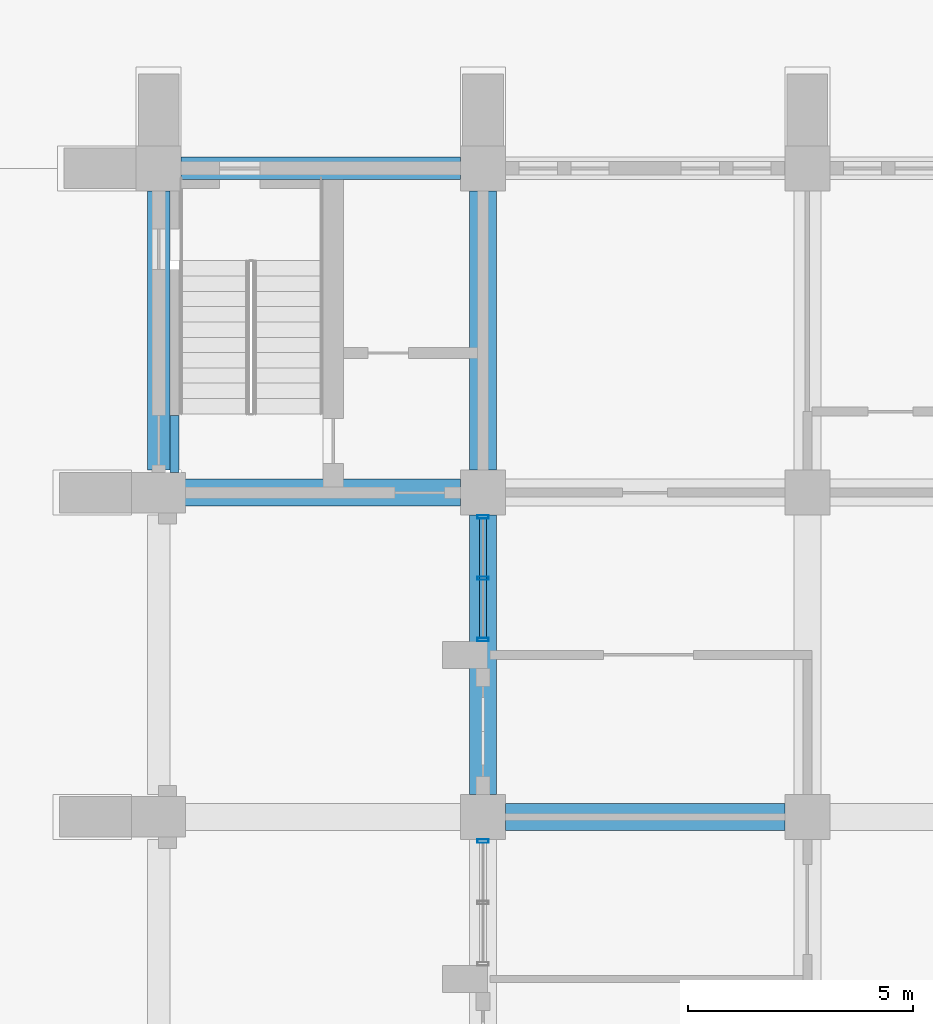
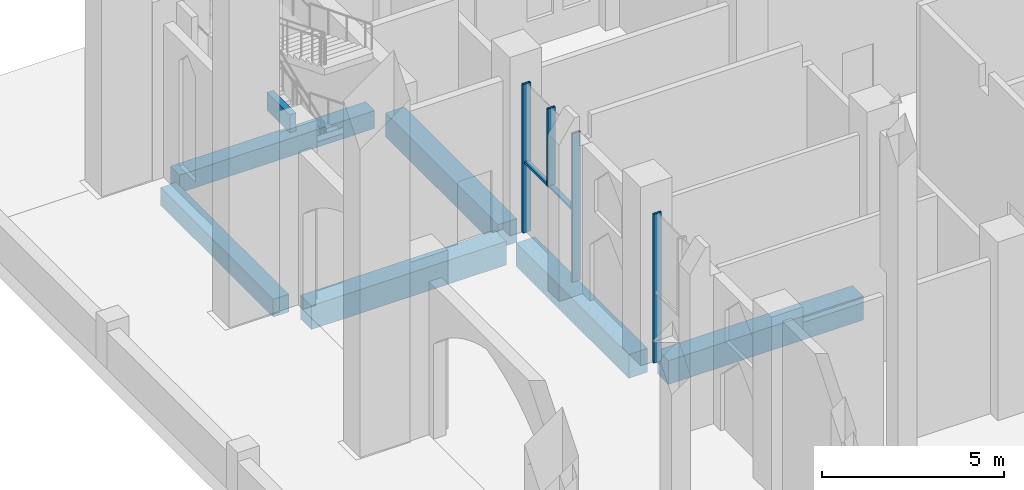
# One storey, part 12 of 50: 7 beams, 5 members, 2 elements without a shape of their own.
"""IFC4 building model written with IfcOpenShell, lengths in metres."""

import ifcopenshell
import ifcopenshell.guid

model = None  # the IFC model being written
_history = None  # IfcOwnerHistory: only IFC2X3 demands one
_inside = {}  # id of a spatial element -> (the spatial element, [elements in it])
_under = {}  # id of a project, library or spatial element -> (it, [spatial elements below it])
_declared = {}  # id of a project -> (the project, [libraries it declares])
_typed = {}  # id of a type object -> (the type object, [elements of that type])
_made_of = {}  # id of a material, layer set ... -> (it, [elements and type objects made of it])


def new_model(schema):
    """Start an empty IFC model of exactly this schema.

    Asked for "IFC4X3", IfcOpenShell would pick the latest addendum, in which some entities
    have other attributes; the version numbers below select the first issue.
    IFC2X3 requires an IfcOwnerHistory on every rooted entity: one is made here for all.
    """
    global model, _history
    if schema == "IFC4X3":
        model = ifcopenshell.file(schema_version=(4, 3, 0, 0))
    else:
        model = ifcopenshell.file(schema=schema)
    _inside.clear()
    _under.clear()
    _declared.clear()
    _typed.clear()
    _made_of.clear()
    _history = None
    if model.schema == "IFC2X3":
        org = make("IfcOrganization", Name="unknown")
        user = make(
            "IfcPersonAndOrganization",
            ThePerson=make("IfcPerson", FamilyName="unknown"),
            TheOrganization=org,
        )
        app = make(
            "IfcApplication",
            ApplicationDeveloper=org,
            Version="unknown",
            ApplicationFullName="unknown",
            ApplicationIdentifier="unknown",
        )
        _history = make(
            "IfcOwnerHistory",
            OwningUser=user,
            OwningApplication=app,
            ChangeAction="ADDED",
            CreationDate=0,
        )
    return model


def make(cls, **values):
    """One entity of the class cls with the attributes given. An attribute that is None is left unset."""
    return model.create_entity(
        cls, **{name: value for name, value in values.items() if value is not None}
    )


def rooted(cls, **values):
    """An entity with a GlobalId (a new one), such as an element, a storey or a relation."""
    return make(cls, GlobalId=ifcopenshell.guid.new(), OwnerHistory=_history, **values)


def si_unit(unit_type, name, prefix=None):
    """IfcSIUnit, for example si_unit("LENGTHUNIT", "METRE", prefix="MILLI")."""
    return make("IfcSIUnit", UnitType=unit_type, Prefix=prefix, Name=name)


def assignment(units):
    """IfcUnitAssignment: the units of a project."""
    return None if units is None else make("IfcUnitAssignment", Units=units)


def point(xyz):
    """IfcCartesianPoint."""
    return None if xyz is None else make("IfcCartesianPoint", Coordinates=xyz)


def direction(xyz):
    """IfcDirection."""
    return None if xyz is None else make("IfcDirection", DirectionRatios=xyz)


def frame(location, z_axis=None, x_axis=None):
    """IfcAxis2Placement3D, a coordinate frame: its origin and axes. An axis left out is left unset."""
    return make(
        "IfcAxis2Placement3D",
        Location=point(location),
        Axis=direction(z_axis),
        RefDirection=direction(x_axis),
    )


def frame_2d(location, x_axis=None):
    """IfcAxis2Placement2D, a coordinate frame in the plane: its origin and x axis."""
    return make(
        "IfcAxis2Placement2D", Location=point(location), RefDirection=direction(x_axis)
    )


def origin():
    """The frame at (0, 0, 0) with its axes left unset."""
    return frame((0.0, 0.0, 0.0))


def origin_2d():
    """The frame at (0, 0) in the plane with its x axis left unset."""
    return frame_2d((0.0, 0.0))


def place(relative_to, where):
    """IfcLocalPlacement: puts the frame where relative to a parent placement (None: the world)."""
    return make(
        "IfcLocalPlacement", PlacementRelTo=relative_to, RelativePlacement=where
    )


def context(
    kind, dimensions, precision=None, world=None, true_north=None, identifier=None
):
    """IfcGeometricRepresentationContext, for example the 3D "Model" context."""
    return make(
        "IfcGeometricRepresentationContext",
        ContextIdentifier=identifier,
        ContextType=kind,
        CoordinateSpaceDimension=dimensions,
        Precision=precision,
        WorldCoordinateSystem=world,
        TrueNorth=true_north,
    )


def subcontext(parent, identifier, kind, view, scale=None):
    """IfcGeometricRepresentationSubContext, for example "Body" below "Model"."""
    return make(
        "IfcGeometricRepresentationSubContext",
        ContextIdentifier=identifier,
        ContextType=kind,
        ParentContext=parent,
        TargetScale=scale,
        TargetView=view,
    )


def project(units=None, contexts=None):
    """IfcProject with its units and contexts."""
    return rooted(
        "IfcProject",
        Name="project",
        RepresentationContexts=contexts,
        UnitsInContext=assignment(units),
    )


def spatial(cls, under=None, at=None, **own):
    """A site, building, storey or space (cls), placed at a placement, below another one or the project."""
    s = rooted(cls, ObjectPlacement=at, **own)
    if under is not None:
        _under.setdefault(under.id(), (under, []))[1].append(s)
    return s


def profile(cls, at=None, kind="AREA", **sizes):
    """A parametric profile (cls). Its sizes go by their IFC names, for example OverallWidth=200.0."""
    return make(cls, ProfileType=kind, Position=at, **sizes)


def rectangle(**sizes):
    """IfcRectangleProfileDef."""
    return profile("IfcRectangleProfileDef", **sizes)


def hollow_rectangle(**sizes):
    """IfcRectangleHollowProfileDef."""
    return profile("IfcRectangleHollowProfileDef", **sizes)


def extrude(swept, where, along, depth):
    """IfcExtrudedAreaSolid: the profile swept, set in the frame where, extruded along a direction by depth."""
    return make(
        "IfcExtrudedAreaSolid",
        SweptArea=swept,
        Position=where,
        ExtrudedDirection=direction(along),
        Depth=depth,
    )


def shape(context_of_items, identifier, shape_type, items):
    """IfcShapeRepresentation: the items that make up one representation, for example the "Body"."""
    return make(
        "IfcShapeRepresentation",
        ContextOfItems=context_of_items,
        RepresentationIdentifier=identifier,
        RepresentationType=shape_type,
        Items=items,
    )


def material(Name=None, Category=None):
    """IfcMaterial."""
    return make("IfcMaterial", Name=Name, Category=Category)


def material_profile(
    of_material, cross_section, Name=None, Category=None, Priority=None
):
    """IfcMaterialProfile: a cross section and its material."""
    return make(
        "IfcMaterialProfile",
        Name=Name,
        Material=of_material,
        Profile=cross_section,
        Priority=Priority,
        Category=Category,
    )


def profile_set(profiles, Name=None, composite=None):
    """IfcMaterialProfileSet."""
    return make(
        "IfcMaterialProfileSet",
        Name=Name,
        MaterialProfiles=profiles,
        CompositeProfile=composite,
    )


def made_of(thing, what):
    """Note that an element or type object is made of a material, layer set ...; save() writes the relation."""
    if what is not None:
        _made_of.setdefault(what.id(), (what, []))[1].append(thing)
    return thing


def type_object(cls, material=None, **own):
    """A type object (cls), such as IfcWallType, which elements share."""
    return made_of(rooted(cls, **own), material)


def element(
    cls,
    number,
    at=None,
    inside=None,
    cuts=None,
    type_object=None,
    material=None,
    context=None,
    identifier="Body",
    shape_type=None,
    held_by="IfcProductDefinitionShape",
    body=None,
    shapes=None,
    **own,
):
    """One element of the class cls, such as IfcWall. Its Tag is "e" and its number.

    at: its placement. inside: the storey or other place that contains it. cuts: it is an
    opening in that element (IfcRelVoidsElement). A single representation is given by context,
    identifier, shape_type and body (its items); several are given by shapes. held_by: the class
    of the entity that holds the representations. save() writes the other relations.
    """
    e = rooted(cls, Tag="e%d" % number, ObjectPlacement=at, **own)
    if body is not None:
        shapes = [shape(context, identifier, shape_type, body)]
    if shapes is not None:
        e.Representation = make(held_by, Representations=shapes)
    if inside is not None:
        _inside.setdefault(inside.id(), (inside, []))[1].append(e)
    if cuts is not None:
        rooted(
            "IfcRelVoidsElement", RelatingBuildingElement=cuts, RelatedOpeningElement=e
        )
    if type_object is not None:
        _typed.setdefault(type_object.id(), (type_object, []))[1].append(e)
    return made_of(e, material)


def aggregate(whole, parts):
    """IfcRelAggregates: a whole, such as a stair, and the parts it consists of."""
    return rooted("IfcRelAggregates", RelatingObject=whole, RelatedObjects=parts)


def save(model, path):
    """Write the relations noted so far, then the file.

    IfcRelAggregates (storeys below a building ...), IfcRelContainedInSpatialStructure (elements
    in a storey), IfcRelDefinesByType, IfcRelAssociatesMaterial and IfcRelDeclares: one each for
    every whole, place, type object, material and project.
    """
    for whole, parts in _under.values():
        aggregate(whole, parts)
    for where, things in _inside.values():
        rooted(
            "IfcRelContainedInSpatialStructure",
            RelatedElements=things,
            RelatingStructure=where,
        )
    for kind, things in _typed.values():
        rooted("IfcRelDefinesByType", RelatedObjects=things, RelatingType=kind)
    for what, things in _made_of.values():
        rooted("IfcRelAssociatesMaterial", RelatedObjects=things, RelatingMaterial=what)
    for by, libraries in _declared.values():
        rooted("IfcRelDeclares", RelatingContext=by, RelatedDefinitions=libraries)
    model.write(path)


model = new_model("IFC4")

# Units and contexts
model_context = context("Model", 3, precision=1e-05, world=origin(), true_north=direction((0.0, 1.0)))
body_context = subcontext(model_context, "Body", "Model", "MODEL_VIEW")
ifc_project = project(units=[si_unit("LENGTHUNIT", "METRE"), si_unit("AREAUNIT", "SQUARE_METRE"), si_unit("VOLUMEUNIT", "CUBIC_METRE"), si_unit("PLANEANGLEUNIT", "RADIAN"), si_unit("MASSUNIT", "GRAM", prefix="KILO")], contexts=[model_context])

# Site, building, storey
site_placement = place(None, origin())
site = spatial("IfcSite", under=ifc_project, at=site_placement, CompositionType="ELEMENT")
building_placement = place(site_placement, origin())
building = spatial("IfcBuilding", under=site, at=building_placement, Name="Silangan Lancet Faculty of Sciences", CompositionType="ELEMENT")
storey_placement = place(building_placement, origin())
storey = spatial("IfcBuildingStorey", under=building, at=storey_placement, Name="L00", CompositionType="ELEMENT", Elevation=0.0)

# Beams
ifc_material_1 = material(Name="Concrete C40/50", Category="concrete")
ifc_material_profile_1 = material_profile(ifc_material_1, rectangle(XDim=0.199951171875, YDim=0.60009765625, at=origin_2d()), Name="RC 200x600")
ifc_profile_set_1 = profile_set([ifc_material_profile_1], Name="Concrete C40/50")
beam_type_1 = type_object("IfcBeamType", Name="BEAM RC 200x600", PredefinedType="BEAM", material=ifc_profile_set_1)
beam_1_placement = place(storey_placement, frame((0.35009765625, 50.85009765625, 5.449951171875), z_axis=(0.0, 1.0, 0.0), x_axis=(-1.0, 0.0, 0.0)))
element("IfcBeam", 1, at=beam_1_placement, inside=storey, type_object=beam_type_1, Name="HDR-L00-NT-A-1", PredefinedType="BEAM", context=body_context, shape_type="SweptSolid", body=[
    extrude(rectangle(XDim=0.199951171875, YDim=0.60009765625, at=origin_2d()), origin(), (0.0, 0.0, 1.0), 1.260009765625),
])
ifc_material_2 = material(Name="Concrete C40/50", Category="concrete")
ifc_material_profile_2 = material_profile(ifc_material_2, rectangle(XDim=0.5, YDim=0.60009765625, at=origin_2d()), Name="RC 500x600")
ifc_profile_set_2 = profile_set([ifc_material_profile_2], Name="Concrete C40/50")
beam_type_2 = type_object("IfcBeamType", Name="BEAM RC 500x600", PredefinedType="BEAM", material=ifc_profile_set_2)
beam_2_placement = place(storey_placement, frame((0.5, 57.60009765625, -0.60009765625), z_axis=(1.0, 0.0, 0.0), x_axis=(0.0, 1.0, 0.0)))
element("IfcBeam", 2, at=beam_2_placement, inside=storey, type_object=beam_type_2, Name="BM-L00-1I-2I", PredefinedType="BEAM", context=body_context, shape_type="SweptSolid", body=[
    extrude(rectangle(XDim=0.5, YDim=0.60009765625, at=origin_2d()), origin(), (0.0, 0.0, 1.0), 6.199951171875),
])
beam_3_placement = place(storey_placement, frame((0.0, 50.89990234375, -0.60009765625), z_axis=(0.0, 1.0, 0.0), x_axis=(-1.0, 0.0, 0.0)))
element("IfcBeam", 3, at=beam_3_placement, inside=storey, type_object=beam_type_2, Name="BM-L00-1H-1I", PredefinedType="BEAM", context=body_context, shape_type="SweptSolid", body=[
    extrude(rectangle(XDim=0.5, YDim=0.60009765625, at=origin_2d()), origin(), (0.0, 0.0, 1.0), 6.2001953125),
])
ifc_material_3 = material(Name="Concrete C40/50", Category="concrete")
ifc_material_profile_3 = material_profile(ifc_material_3, rectangle(XDim=0.60009765625, YDim=0.800048828125, at=origin_2d()), Name="RC 600x800")
ifc_profile_set_3 = profile_set([ifc_material_profile_3], Name="Concrete C40/50")
beam_type_3 = type_object("IfcBeamType", Name="BEAM RC 600x800", PredefinedType="BEAM", material=ifc_profile_set_3)
for number, where, z_axis, x_axis, name in (
    (4, (7.699951171875, 43.199951171875, -0.699951171875), (1.0, 0.0, 0.0), (0.0, 1.0, 0.0), "BM-L00-2G-3G"),
    (5, (0.5, 50.39990234375, -0.699951171875), (1.0, 0.0, 0.0), (0.0, 1.0, 0.0), "BM-L00-1H-2H"),
    (6, (7.199951171875, 43.699951171875, -0.699951171875), (0.0, 1.0, 0.0), (-1.0, 0.0, 0.0), "BM-L00-2G-2H"),
):
    element("IfcBeam", number, at=place(storey_placement, frame(where, z_axis=z_axis, x_axis=x_axis)), inside=storey, type_object=beam_type_3, Name=name, PredefinedType="BEAM", context=body_context, shape_type="SweptSolid", body=[
        extrude(rectangle(XDim=0.60009765625, YDim=0.800048828125, at=origin_2d()), origin(), (0.0, 0.0, 1.0), 6.199951171875),
    ])
beam_4_placement = place(storey_placement, frame((7.199951171875, 50.89990234375, -0.699951171875), z_axis=(0.0, 1.0, 0.0), x_axis=(-1.0, 0.0, 0.0)))
element("IfcBeam", 7, at=beam_4_placement, inside=storey, type_object=beam_type_3, Name="BM-L00-2H-2I", PredefinedType="BEAM", context=body_context, shape_type="SweptSolid", body=[
    extrude(rectangle(XDim=0.60009765625, YDim=0.800048828125, at=origin_2d()), origin(), (0.0, 0.0, 1.0), 6.2001953125),
])

# Curtain wall, member
ifc_material_4 = material(Name="Aluminium framed curtain wall with insulated glass", Category="aluminium")
curtain_wall_type = type_object("IfcCurtainWallType", Name="CW4 Arcade shop front glazing", PredefinedType="NOTDEFINED", material=ifc_material_4)
curtain_wall_1_placement = place(storey_placement, origin())
curtain_wall_1 = element("IfcCurtainWall", 8, at=curtain_wall_1_placement, inside=storey, type_object=curtain_wall_type, Name="CW4 Shop front north L00 bay 2", PredefinedType="NOTDEFINED")
ifc_material_5 = material(Name="Aluminium 6063-T6 extrusion", Category="aluminium")
ifc_material_profile_4 = material_profile(ifc_material_5, hollow_rectangle(XDim=0.074951171875, YDim=0.25, WallThickness=0.006103515625, at=origin_2d()), Name="AL BOX 75x250x6")
ifc_profile_set_4 = profile_set([ifc_material_profile_4], Name="Aluminium 6063-T6 extrusion")
member_type_1 = type_object("IfcMemberType", Name="CM3 Mullion 75x250", PredefinedType="MULLION", material=ifc_profile_set_4)
member_1_placement = place(storey_placement, frame((7.199951171875, 42.66259765625, 0.0), z_axis=(0.0, 0.0, 1.0), x_axis=(0.0, 1.0, 0.0)))
member_1 = element("IfcMember", 9, at=member_1_placement, type_object=member_type_1, Name="CW4 Shop front north L00 bay 2 mullion 2", PredefinedType="MULLION", context=body_context, shape_type="SweptSolid", body=[
    extrude(hollow_rectangle(XDim=0.074951171875, YDim=0.25, WallThickness=0.006103515625, at=origin_2d()), origin(), (0.0, 0.0, 1.0), 5.0),
])
aggregate(curtain_wall_1, [member_1])

# Curtain wall, members
curtain_wall_2_placement = place(storey_placement, origin())
curtain_wall_2 = element("IfcCurtainWall", 10, at=curtain_wall_2_placement, inside=storey, type_object=curtain_wall_type, Name="CW4 Shop front north L00 bay 4", PredefinedType="NOTDEFINED")
member_2_placement = place(storey_placement, frame((7.199951171875, 47.137451171875, 0.0), z_axis=(0.0, 0.0, 1.0), x_axis=(0.0, 1.0, 0.0)))
member_2 = element("IfcMember", 11, at=member_2_placement, type_object=member_type_1, Name="CW4 Shop front north L00 bay 4 mullion 1", PredefinedType="MULLION", context=body_context, shape_type="SweptSolid", body=[
    extrude(hollow_rectangle(XDim=0.074951171875, YDim=0.25, WallThickness=0.006103515625, at=origin_2d()), origin(), (0.0, 0.0, 1.0), 5.0),
])
member_3_placement = place(storey_placement, frame((7.199951171875, 49.862548828125, 0.0), z_axis=(0.0, 0.0, 1.0), x_axis=(0.0, 1.0, 0.0)))
member_3 = element("IfcMember", 12, at=member_3_placement, type_object=member_type_1, Name="CW4 Shop front north L00 bay 4 mullion 2", PredefinedType="MULLION", context=body_context, shape_type="SweptSolid", body=[
    extrude(hollow_rectangle(XDim=0.074951171875, YDim=0.25, WallThickness=0.006103515625, at=origin_2d()), origin(), (0.0, 0.0, 1.0), 5.0),
])
member_4_placement = place(storey_placement, frame((7.199951171875, 48.5, 2.39990234375), z_axis=(0.0, 0.0, 1.0), x_axis=(0.0, 1.0, 0.0)))
member_4 = element("IfcMember", 13, at=member_4_placement, type_object=member_type_1, Name="CW4 Shop front north L00 bay 4 mullion 3", PredefinedType="MULLION", context=body_context, shape_type="SweptSolid", body=[
    extrude(hollow_rectangle(XDim=0.074951171875, YDim=0.25, WallThickness=0.006103515625, at=origin_2d()), origin(), (0.0, 0.0, 1.0), 2.60009765625),
])
ifc_material_6 = material(Name="Aluminium 6063-T6 extrusion", Category="aluminium")
ifc_material_profile_5 = material_profile(ifc_material_6, hollow_rectangle(XDim=0.14990234375, YDim=0.074951171875, WallThickness=0.0029296875, at=origin_2d()), Name="AL BOX 150x75x3")
ifc_profile_set_5 = profile_set([ifc_material_profile_5], Name="Aluminium 6063-T6 extrusion")
member_type_2 = type_object("IfcMemberType", Name="CT4 Transom 150x75", PredefinedType="USERDEFINED", material=ifc_profile_set_5)
member_5_placement = place(storey_placement, frame((7.199951171875, 47.175048828125, 2.362548828125), z_axis=(0.0, 1.0, 0.0), x_axis=(-1.0, 0.0, 0.0)))
member_5 = element("IfcMember", 14, at=member_5_placement, type_object=member_type_2, Name="CW4 Shop front north L00 bay 4 transom 1", ObjectType="TRANSOM", PredefinedType="USERDEFINED", context=body_context, shape_type="SweptSolid", body=[
    extrude(hollow_rectangle(XDim=0.14990234375, YDim=0.074951171875, WallThickness=0.0029296875, at=origin_2d()), origin(), (0.0, 0.0, 1.0), 2.64990234375),
])
aggregate(curtain_wall_2, [member_2, member_3, member_4, member_5])

save(model, "model.ifc")
